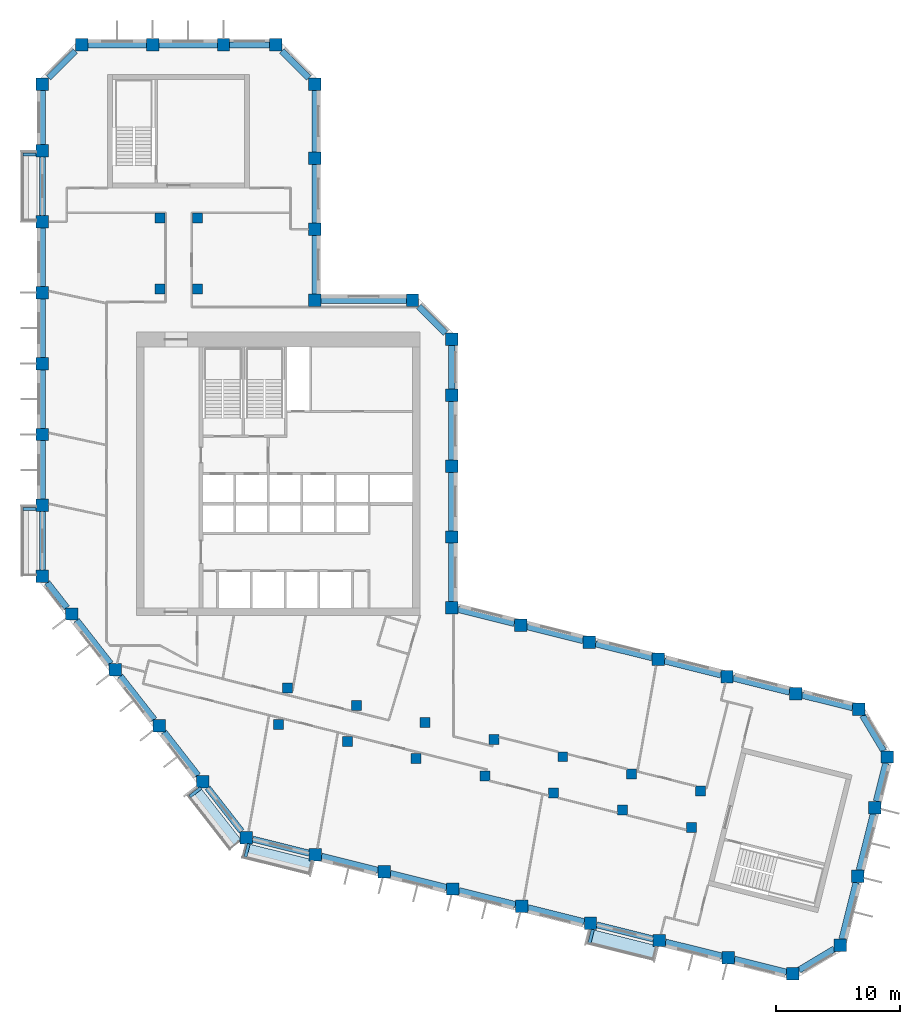
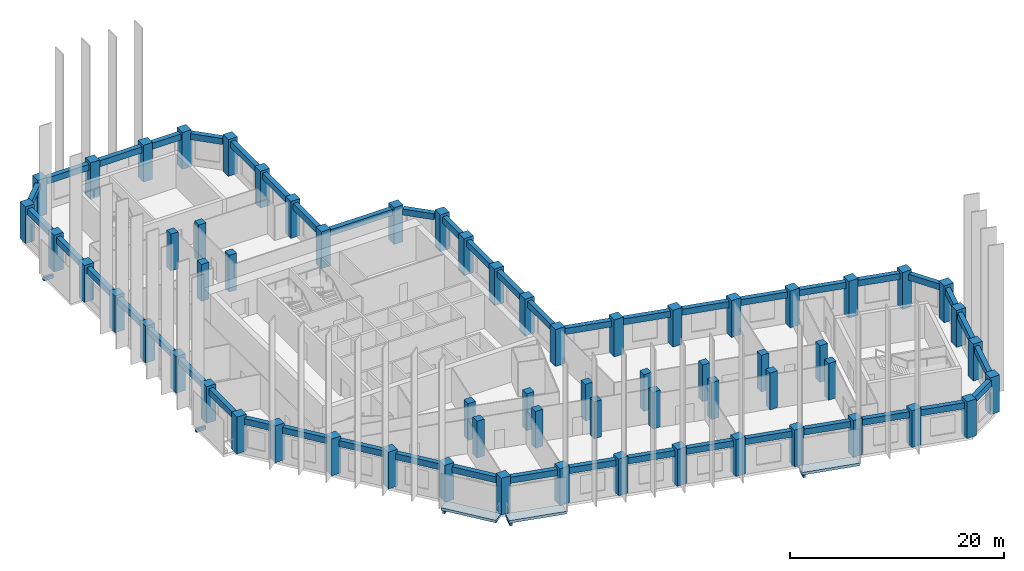
# One storey, part 1 of 9: 63 columns, 50 beams, 3 slabs.
"""IFC4 building model written with IfcOpenShell, lengths in metres."""

import ifcopenshell
import ifcopenshell.guid

model = None  # the IFC model being written
_history = None  # IfcOwnerHistory: only IFC2X3 demands one
_inside = {}  # id of a spatial element -> (the spatial element, [elements in it])
_under = {}  # id of a project, library or spatial element -> (it, [spatial elements below it])
_declared = {}  # id of a project -> (the project, [libraries it declares])
_typed = {}  # id of a type object -> (the type object, [elements of that type])
_made_of = {}  # id of a material, layer set ... -> (it, [elements and type objects made of it])


def new_model(schema):
    """Start an empty IFC model of exactly this schema.

    Asked for "IFC4X3", IfcOpenShell would pick the latest addendum, in which some entities
    have other attributes; the version numbers below select the first issue.
    IFC2X3 requires an IfcOwnerHistory on every rooted entity: one is made here for all.
    """
    global model, _history
    if schema == "IFC4X3":
        model = ifcopenshell.file(schema_version=(4, 3, 0, 0))
    else:
        model = ifcopenshell.file(schema=schema)
    _inside.clear()
    _under.clear()
    _declared.clear()
    _typed.clear()
    _made_of.clear()
    _history = None
    if model.schema == "IFC2X3":
        org = make("IfcOrganization", Name="unknown")
        user = make(
            "IfcPersonAndOrganization",
            ThePerson=make("IfcPerson", FamilyName="unknown"),
            TheOrganization=org,
        )
        app = make(
            "IfcApplication",
            ApplicationDeveloper=org,
            Version="unknown",
            ApplicationFullName="unknown",
            ApplicationIdentifier="unknown",
        )
        _history = make(
            "IfcOwnerHistory",
            OwningUser=user,
            OwningApplication=app,
            ChangeAction="ADDED",
            CreationDate=0,
        )
    return model


def make(cls, **values):
    """One entity of the class cls with the attributes given. An attribute that is None is left unset."""
    return model.create_entity(
        cls, **{name: value for name, value in values.items() if value is not None}
    )


def rooted(cls, **values):
    """An entity with a GlobalId (a new one), such as an element, a storey or a relation."""
    return make(cls, GlobalId=ifcopenshell.guid.new(), OwnerHistory=_history, **values)


def si_unit(unit_type, name, prefix=None):
    """IfcSIUnit, for example si_unit("LENGTHUNIT", "METRE", prefix="MILLI")."""
    return make("IfcSIUnit", UnitType=unit_type, Prefix=prefix, Name=name)


def assignment(units):
    """IfcUnitAssignment: the units of a project."""
    return None if units is None else make("IfcUnitAssignment", Units=units)


def point(xyz):
    """IfcCartesianPoint."""
    return None if xyz is None else make("IfcCartesianPoint", Coordinates=xyz)


def direction(xyz):
    """IfcDirection."""
    return None if xyz is None else make("IfcDirection", DirectionRatios=xyz)


def frame(location, z_axis=None, x_axis=None):
    """IfcAxis2Placement3D, a coordinate frame: its origin and axes. An axis left out is left unset."""
    return make(
        "IfcAxis2Placement3D",
        Location=point(location),
        Axis=direction(z_axis),
        RefDirection=direction(x_axis),
    )


def frame_2d(location, x_axis=None):
    """IfcAxis2Placement2D, a coordinate frame in the plane: its origin and x axis."""
    return make(
        "IfcAxis2Placement2D", Location=point(location), RefDirection=direction(x_axis)
    )


def origin():
    """The frame at (0, 0, 0) with its axes left unset."""
    return frame((0.0, 0.0, 0.0))


def origin_2d():
    """The frame at (0, 0) in the plane with its x axis left unset."""
    return frame_2d((0.0, 0.0))


def place(relative_to, where):
    """IfcLocalPlacement: puts the frame where relative to a parent placement (None: the world)."""
    return make(
        "IfcLocalPlacement", PlacementRelTo=relative_to, RelativePlacement=where
    )


def context(
    kind, dimensions, precision=None, world=None, true_north=None, identifier=None
):
    """IfcGeometricRepresentationContext, for example the 3D "Model" context."""
    return make(
        "IfcGeometricRepresentationContext",
        ContextIdentifier=identifier,
        ContextType=kind,
        CoordinateSpaceDimension=dimensions,
        Precision=precision,
        WorldCoordinateSystem=world,
        TrueNorth=true_north,
    )


def subcontext(parent, identifier, kind, view, scale=None):
    """IfcGeometricRepresentationSubContext, for example "Body" below "Model"."""
    return make(
        "IfcGeometricRepresentationSubContext",
        ContextIdentifier=identifier,
        ContextType=kind,
        ParentContext=parent,
        TargetScale=scale,
        TargetView=view,
    )


def project(units=None, contexts=None):
    """IfcProject with its units and contexts."""
    return rooted(
        "IfcProject",
        Name="project",
        RepresentationContexts=contexts,
        UnitsInContext=assignment(units),
    )


def spatial(cls, under=None, at=None, **own):
    """A site, building, storey or space (cls), placed at a placement, below another one or the project."""
    s = rooted(cls, ObjectPlacement=at, **own)
    if under is not None:
        _under.setdefault(under.id(), (under, []))[1].append(s)
    return s


def polyline(points):
    """IfcPolyline through the points."""
    return make("IfcPolyline", Points=[point(p) for p in points])


def profile(cls, at=None, kind="AREA", **sizes):
    """A parametric profile (cls). Its sizes go by their IFC names, for example OverallWidth=200.0."""
    return make(cls, ProfileType=kind, Position=at, **sizes)


def rectangle(**sizes):
    """IfcRectangleProfileDef."""
    return profile("IfcRectangleProfileDef", **sizes)


def outline(outer, holes=None, kind="AREA"):
    """IfcArbitraryClosedProfileDef: a profile drawn as a closed curve; with holes, ...WithVoids."""
    if holes is None:
        return make("IfcArbitraryClosedProfileDef", ProfileType=kind, OuterCurve=outer)
    return make(
        "IfcArbitraryProfileDefWithVoids",
        ProfileType=kind,
        OuterCurve=outer,
        InnerCurves=holes,
    )


def extrude(swept, where, along, depth):
    """IfcExtrudedAreaSolid: the profile swept, set in the frame where, extruded along a direction by depth."""
    return make(
        "IfcExtrudedAreaSolid",
        SweptArea=swept,
        Position=where,
        ExtrudedDirection=direction(along),
        Depth=depth,
    )


def shape(context_of_items, identifier, shape_type, items):
    """IfcShapeRepresentation: the items that make up one representation, for example the "Body"."""
    return make(
        "IfcShapeRepresentation",
        ContextOfItems=context_of_items,
        RepresentationIdentifier=identifier,
        RepresentationType=shape_type,
        Items=items,
    )


def material(Name=None, Category=None):
    """IfcMaterial."""
    return make("IfcMaterial", Name=Name, Category=Category)


def layer(
    of_material, thickness, ventilated=None, Name=None, Category=None, Priority=None
):
    """IfcMaterialLayer: one layer of a wall or slab, of a material (None: an air gap)."""
    return make(
        "IfcMaterialLayer",
        Material=of_material,
        LayerThickness=thickness,
        IsVentilated=ventilated,
        Name=Name,
        Category=Category,
        Priority=Priority,
    )


def layer_set(layers, Name=None):
    """IfcMaterialLayerSet."""
    return make("IfcMaterialLayerSet", MaterialLayers=layers, LayerSetName=Name)


def material_profile(
    of_material, cross_section, Name=None, Category=None, Priority=None
):
    """IfcMaterialProfile: a cross section and its material."""
    return make(
        "IfcMaterialProfile",
        Name=Name,
        Material=of_material,
        Profile=cross_section,
        Priority=Priority,
        Category=Category,
    )


def profile_set(profiles, Name=None, composite=None):
    """IfcMaterialProfileSet."""
    return make(
        "IfcMaterialProfileSet",
        Name=Name,
        MaterialProfiles=profiles,
        CompositeProfile=composite,
    )


def made_of(thing, what):
    """Note that an element or type object is made of a material, layer set ...; save() writes the relation."""
    if what is not None:
        _made_of.setdefault(what.id(), (what, []))[1].append(thing)
    return thing


def type_object(cls, material=None, **own):
    """A type object (cls), such as IfcWallType, which elements share."""
    return made_of(rooted(cls, **own), material)


def element(
    cls,
    number,
    at=None,
    inside=None,
    cuts=None,
    type_object=None,
    material=None,
    context=None,
    identifier="Body",
    shape_type=None,
    held_by="IfcProductDefinitionShape",
    body=None,
    shapes=None,
    **own,
):
    """One element of the class cls, such as IfcWall. Its Tag is "e" and its number.

    at: its placement. inside: the storey or other place that contains it. cuts: it is an
    opening in that element (IfcRelVoidsElement). A single representation is given by context,
    identifier, shape_type and body (its items); several are given by shapes. held_by: the class
    of the entity that holds the representations. save() writes the other relations.
    """
    e = rooted(cls, Tag="e%d" % number, ObjectPlacement=at, **own)
    if body is not None:
        shapes = [shape(context, identifier, shape_type, body)]
    if shapes is not None:
        e.Representation = make(held_by, Representations=shapes)
    if inside is not None:
        _inside.setdefault(inside.id(), (inside, []))[1].append(e)
    if cuts is not None:
        rooted(
            "IfcRelVoidsElement", RelatingBuildingElement=cuts, RelatedOpeningElement=e
        )
    if type_object is not None:
        _typed.setdefault(type_object.id(), (type_object, []))[1].append(e)
    return made_of(e, material)


def aggregate(whole, parts):
    """IfcRelAggregates: a whole, such as a stair, and the parts it consists of."""
    return rooted("IfcRelAggregates", RelatingObject=whole, RelatedObjects=parts)


def save(model, path):
    """Write the relations noted so far, then the file.

    IfcRelAggregates (storeys below a building ...), IfcRelContainedInSpatialStructure (elements
    in a storey), IfcRelDefinesByType, IfcRelAssociatesMaterial and IfcRelDeclares: one each for
    every whole, place, type object, material and project.
    """
    for whole, parts in _under.values():
        aggregate(whole, parts)
    for where, things in _inside.values():
        rooted(
            "IfcRelContainedInSpatialStructure",
            RelatedElements=things,
            RelatingStructure=where,
        )
    for kind, things in _typed.values():
        rooted("IfcRelDefinesByType", RelatedObjects=things, RelatingType=kind)
    for what, things in _made_of.values():
        rooted("IfcRelAssociatesMaterial", RelatedObjects=things, RelatingMaterial=what)
    for by, libraries in _declared.values():
        rooted("IfcRelDeclares", RelatingContext=by, RelatedDefinitions=libraries)
    model.write(path)


model = new_model("IFC4")

# Units and contexts
model_context = context("Model", 3, precision=1e-05, world=origin(), true_north=direction((0.0, 1.0)))
body_context = subcontext(model_context, "Body", "Model", "MODEL_VIEW")
ifc_project = project(units=[si_unit("LENGTHUNIT", "METRE"), si_unit("AREAUNIT", "SQUARE_METRE"), si_unit("VOLUMEUNIT", "CUBIC_METRE"), si_unit("PLANEANGLEUNIT", "RADIAN"), si_unit("MASSUNIT", "GRAM", prefix="KILO")], contexts=[model_context])

# Site, building, storey
site_placement = place(None, origin())
site = spatial("IfcSite", under=ifc_project, at=site_placement, CompositionType="ELEMENT")
building_placement = place(site_placement, origin())
building = spatial("IfcBuilding", under=site, at=building_placement, Name="Meshkara Civic Tower", CompositionType="ELEMENT")
storey_placement = place(building_placement, frame((0.0, 0.0, 289.800048828125)))
storey = spatial("IfcBuildingStorey", under=building, at=storey_placement, Name="L66", CompositionType="ELEMENT", Elevation=289.800048828125)

# Columns
ifc_material_1 = material(Name="Concrete C60", Category="concrete")
ifc_material_profile_1 = material_profile(ifc_material_1, rectangle(XDim=0.800048828125, YDim=0.800048828125, at=origin_2d()))
ifc_profile_set_1 = profile_set([ifc_material_profile_1], Name="Concrete C60")
column_type_1 = type_object("IfcColumnType", Name="Interior column RC 800x800 C60", PredefinedType="COLUMN", material=ifc_profile_set_1)
for number, where, z_axis, x_axis, name in (
    (1, (9.89990234375, 40.35009765625, 0.0), (0.0, 0.0, 1.0), (1.0, 0.0, 0.0), "Column SA1-04 L66"),
    (2, (9.89990234375, 46.050048828125, 0.0), (0.0, 0.0, 1.0), (1.0, 0.0, 0.0), "Column SA1-05 L66"),
    (3, (12.89990234375, 40.35009765625, 0.0), (0.0, 0.0, 1.0), (1.0, 0.0, 0.0), "Column SA2-04 L66"),
    (4, (12.89990234375, 46.050048828125, 0.0), (0.0, 0.0, 1.0), (1.0, 0.0, 0.0), "Column SA2-05 L66"),
    (5, (19.424072265625, 5.360107421875, 0.0), (0.0, 0.0, 1.0), (1.0, 0.0, 0.0), "Column SB1-00 L66"),
    (6, (24.9541015625, 3.98095703125, 0.0), (0.0, 0.0, 1.0), (1.0, 0.0, 0.0), "Column SB1-01 L66"),
    (7, (30.485107421875, 2.60205078125, 0.0), (0.0, 0.0, 1.0), (1.0, 0.0, 0.0), "Column SB1-02 L66"),
    (8, (36.01611328125, 1.222900390625, 0.0), (0.0, 0.0, 1.0), (1.0, 0.0, 0.0), "Column SB1-03 L66"),
    (9, (41.5458984375, -0.156005859375, 0.0), (0.0, 0.0, 1.0), (1.0, 0.0, 0.0), "Column SB1-04 L66"),
    (10, (47.076904296875, -1.534912109375, 0.0), (0.0, 0.0, 1.0), (1.0, 0.0, 0.0), "Column SB1-05 L66"),
    (11, (52.60791015625, -2.9140625, 0.0), (0.0, 0.0, 1.0), (1.0, 0.0, 0.0), "Column SB1-06 L66"),
    (12, (20.14892578125, 8.27099609375, 0.0), (0.0, 0.0, 1.0), (1.0, 0.0, 0.0), "Column SB2-00 L66"),
    (13, (25.679931640625, 6.89208984375, 0.0), (0.0, 0.0, 1.0), (1.0, 0.0, 0.0), "Column SB2-01 L66"),
    (14, (31.2109375, 5.512939453125, 0.0), (0.0, 0.0, 1.0), (1.0, 0.0, 0.0), "Column SB2-02 L66"),
    (15, (36.741943359375, 4.134033203125, 0.0), (0.0, 0.0, 1.0), (1.0, 0.0, 0.0), "Column SB2-03 L66"),
    (16, (42.27197265625, 2.7548828125, 0.0), (0.0, 0.0, 1.0), (1.0, 0.0, 0.0), "Column SB2-04 L66"),
    (17, (47.802978515625, 1.3759765625, 0.0), (0.0, 0.0, 1.0), (1.0, 0.0, 0.0), "Column SB2-05 L66"),
    (18, (53.333984375, -0.0029296875, 0.0), (0.0, 0.0, 1.0), (1.0, 0.0, 0.0), "Column SB2-06 L66"),
):
    element("IfcColumn", number, at=place(storey_placement, frame(where, z_axis=z_axis, x_axis=x_axis)), inside=storey, type_object=column_type_1, Name=name, PredefinedType="COLUMN", context=body_context, shape_type="SweptSolid", body=[
        extrude(rectangle(XDim=0.800048828125, YDim=0.800048828125, at=origin_2d()), origin(), (0.0, 0.0, 1.0), 4.199951171875),
    ])
ifc_material_2 = material(Name="Concrete C60", Category="concrete")
ifc_material_profile_2 = material_profile(ifc_material_2, rectangle(XDim=1.0, YDim=1.0, at=origin_2d()))
ifc_profile_set_2 = profile_set([ifc_material_profile_2], Name="Concrete C60")
column_type_2 = type_object("IfcColumnType", Name="Perimeter column RC 1000x1000 C60", PredefinedType="COLUMN", material=ifc_profile_set_2)
for number, where, z_axis, x_axis, name in (
    (19, (33.35009765625, 14.718994140625, 0.0), (0.0, 0.0, 1.0), (1.0, 0.0, 0.0), "Column HE00 L66"),
    (20, (33.35009765625, 20.4189453125, 0.0), (0.0, 0.0, 1.0), (1.0, 0.0, 0.0), "Column HE01 L66"),
    (21, (33.35009765625, 26.118896484375, 0.0), (0.0, 0.0, 1.0), (1.0, 0.0, 0.0), "Column HE02 L66"),
    (22, (33.35009765625, 31.819091796875, 0.0), (0.0, 0.0, 1.0), (1.0, 0.0, 0.0), "Column HE03 L66"),
    (23, (33.35009765625, 36.2939453125, 0.0), (0.0, 0.0, 1.0), (1.0, 0.0, 0.0), "Column HEE L66"),
    (24, (30.194091796875, 39.449951171875, 0.0), (0.0, 0.0, 1.0), (1.0, 0.0, 0.0), "Column HCeE L66"),
    (25, (22.35009765625, 39.449951171875, 0.0), (0.0, 0.0, 1.0), (1.0, 0.0, 0.0), "Column HN00 L66"),
    (26, (22.35009765625, 45.14990234375, 0.0), (0.0, 0.0, 1.0), (1.0, 0.0, 0.0), "Column AE01 L66"),
    (27, (22.35009765625, 50.85009765625, 0.0), (0.0, 0.0, 1.0), (1.0, 0.0, 0.0), "Column AE02 L66"),
    (28, (22.35009765625, 56.81396484375, 0.0), (0.0, 0.0, 1.0), (1.0, 0.0, 0.0), "Column AEEP4 L66"),
    (29, (19.194091796875, 59.969970703125, 0.0), (0.0, 0.0, 1.0), (1.0, 0.0, 0.0), "Column ATiEP4 L66"),
    (30, (3.60595703125, 59.969970703125, 0.0), (0.0, 0.0, 1.0), (1.0, 0.0, 0.0), "Column AT00-P4 L66"),
    (31, (9.305908203125, 59.969970703125, 0.0), (0.0, 0.0, 1.0), (1.0, 0.0, 0.0), "Column AT01-P4 L66"),
    (32, (15.006103515625, 59.969970703125, 0.0), (0.0, 0.0, 1.0), (1.0, 0.0, 0.0), "Column AT02-P4 L66"),
    (33, (0.449951171875, 56.81396484375, 0.0), (0.0, 0.0, 1.0), (1.0, 0.0, 0.0), "Column ATo00-P4 L66"),
    (34, (0.449951171875, 17.2548828125, 0.0), (0.0, 0.0, 1.0), (1.0, 0.0, 0.0), "Column AW00 L66"),
    (35, (0.449951171875, 22.955078125, 0.0), (0.0, 0.0, 1.0), (1.0, 0.0, 0.0), "Column AW01 L66"),
    (36, (0.449951171875, 28.655029296875, 0.0), (0.0, 0.0, 1.0), (1.0, 0.0, 0.0), "Column AW02 L66"),
    (37, (0.449951171875, 34.35498046875, 0.0), (0.0, 0.0, 1.0), (1.0, 0.0, 0.0), "Column AW03 L66"),
    (38, (0.449951171875, 40.054931640625, 0.0), (0.0, 0.0, 1.0), (1.0, 0.0, 0.0), "Column AW04 L66"),
    (39, (0.449951171875, 45.7548828125, 0.0), (0.0, 0.0, 1.0), (1.0, 0.0, 0.0), "Column AW05 L66"),
    (40, (0.449951171875, 51.455078125, 0.0), (0.0, 0.0, 1.0), (1.0, 0.0, 0.0), "Column AW06 L66"),
    (41, (16.85107421875, -3.738037109375, 0.0), (0.0, 0.0, 1.0), (1.0, 0.0, 0.0), "Column BOW00 L66"),
    (42, (13.342041015625, 0.75390625, 0.0), (0.0, 0.0, 1.0), (1.0, 0.0, 0.0), "Column BOW01 L66"),
    (43, (9.8330078125, 5.2451171875, 0.0), (0.0, 0.0, 1.0), (1.0, 0.0, 0.0), "Column BOW02 L66"),
    (44, (6.322998046875, 9.737060546875, 0.0), (0.0, 0.0, 1.0), (1.0, 0.0, 0.0), "Column BOW03 L66"),
    (45, (2.81396484375, 14.22900390625, 0.0), (0.0, 0.0, 1.0), (1.0, 0.0, 0.0), "Column BOW04 L66"),
    (46, (22.382080078125, -5.116943359375, 0.0), (0.0, 0.0, 1.0), (1.0, 0.0, 0.0), "Column BS01 L66"),
    (47, (27.912109375, -6.49609375, 0.0), (0.0, 0.0, 1.0), (1.0, 0.0, 0.0), "Column BS02 L66"),
    (48, (33.443115234375, -7.875, 0.0), (0.0, 0.0, 1.0), (1.0, 0.0, 0.0), "Column BS03 L66"),
    (49, (38.97412109375, -9.25390625, 0.0), (0.0, 0.0, 1.0), (1.0, 0.0, 0.0), "Column BS04 L66"),
    (50, (44.50390625, -10.633056640625, 0.0), (0.0, 0.0, 1.0), (1.0, 0.0, 0.0), "Column BS05-P4 L66"),
    (51, (50.034912109375, -12.011962890625, 0.0), (0.0, 0.0, 1.0), (1.0, 0.0, 0.0), "Column BS06-P4 L66"),
    (52, (55.56591796875, -13.389892578125, 0.0), (0.0, 0.0, 1.0), (1.0, 0.0, 0.0), "Column BS07 L66"),
    (53, (60.76611328125, -14.68701171875, 0.0), (0.0, 0.0, 1.0), (1.0, 0.0, 0.0), "Column BSEP4 L66"),
    (54, (64.591064453125, -12.386962890625, 0.0), (0.0, 0.0, 1.0), (1.0, 0.0, 0.0), "Column BToEP4 L66"),
    (55, (65.969970703125, -6.85595703125, 0.0), (0.0, 0.0, 1.0), (1.0, 0.0, 0.0), "Column BT01-P4 L66"),
    (56, (67.34912109375, -1.325927734375, 0.0), (0.0, 0.0, 1.0), (1.0, 0.0, 0.0), "Column BT02-P4 L66"),
    (57, (68.362060546875, 2.736083984375, 0.0), (0.0, 0.0, 1.0), (1.0, 0.0, 0.0), "Column BTEP4 L66"),
    (58, (66.06298828125, 6.56201171875, 0.0), (0.0, 0.0, 1.0), (1.0, 0.0, 0.0), "Column BTi00-P4 L66"),
    (59, (38.881103515625, 13.340087890625, 0.0), (0.0, 0.0, 1.0), (1.0, 0.0, 0.0), "Column BN01 L66"),
    (60, (44.410888671875, 11.9609375, 0.0), (0.0, 0.0, 1.0), (1.0, 0.0, 0.0), "Column BN02 L66"),
    (61, (49.94189453125, 10.58203125, 0.0), (0.0, 0.0, 1.0), (1.0, 0.0, 0.0), "Column BN03 L66"),
    (62, (55.472900390625, 9.202880859375, 0.0), (0.0, 0.0, 1.0), (1.0, 0.0, 0.0), "Column BN04 L66"),
    (63, (61.0029296875, 7.823974609375, 0.0), (0.0, 0.0, 1.0), (1.0, 0.0, 0.0), "Column BN05 L66"),
):
    element("IfcColumn", number, at=place(storey_placement, frame(where, z_axis=z_axis, x_axis=x_axis)), inside=storey, type_object=column_type_2, Name=name, PredefinedType="COLUMN", context=body_context, shape_type="SweptSolid", body=[
        extrude(rectangle(XDim=1.0, YDim=1.0, at=origin_2d()), origin(), (0.0, 0.0, 1.0), 4.199951171875),
    ])

# Beams
ifc_material_3 = material(Name="Concrete C50", Category="concrete")
ifc_material_profile_3 = material_profile(ifc_material_3, rectangle(XDim=0.25, YDim=0.39990234375, at=origin_2d()))
ifc_profile_set_3 = profile_set([ifc_material_profile_3], Name="Concrete C50")
beam_type_1 = type_object("IfcBeamType", Name="Balcony bracket beam RC 250x400 C50", PredefinedType="BEAM", material=ifc_profile_set_3)
for number, where, z_axis, x_axis, name in (
    (64, (-0.044921875, 51.155029296875, -0.5), (-1.0, 0.0, 0.0), (0.0, -1.0, 0.0), "Balcony bracket beam"),
    (65, (-0.044921875, 22.655029296875, -0.5), (-1.0, 0.0, 0.0), (0.0, -1.0, 0.0), "Balcony bracket beam"),
):
    element("IfcBeam", number, at=place(storey_placement, frame(where, z_axis=z_axis, x_axis=x_axis)), inside=storey, type_object=beam_type_1, Name=name, PredefinedType="BEAM", context=body_context, shape_type="SweptSolid", body=[
        extrude(rectangle(XDim=0.25, YDim=0.39990234375, at=origin_2d()), origin(), (0.0, 0.0, 1.0), 1.05517578125),
    ])
beam_1_placement = place(storey_placement, frame((13.193115234375, 0.257080078125, -0.5), z_axis=(-0.787938992743, -0.61575331401, 0.0), x_axis=(0.61575331401, -0.787938992743, 0.0)))
element("IfcBeam", 66, at=beam_1_placement, inside=storey, type_object=beam_type_1, Name="Balcony bracket beam", PredefinedType="BEAM", context=body_context, shape_type="SweptSolid", body=[
    extrude(rectangle(XDim=0.25, YDim=0.39990234375, at=origin_2d()), origin(), (0.0, 0.0, 1.0), 1.127197265625),
])
for number, where, z_axis, x_axis, name in (
    (67, (17.037109375, -4.23291015625, -0.5), (-0.242329403705, -0.970194032192, 0.0), (0.970194032192, -0.242329403705, 0.0), "Balcony bracket beam"),
    (68, (44.68994140625, -11.1279296875, -0.5), (-0.242329403705, -0.970194032192, 0.0), (0.970194032192, -0.242329403705, 0.0), "Balcony bracket beam"),
):
    element("IfcBeam", number, at=place(storey_placement, frame(where, z_axis=z_axis, x_axis=x_axis)), inside=storey, type_object=beam_type_1, Name=name, PredefinedType="BEAM", context=body_context, shape_type="SweptSolid", body=[
        extrude(rectangle(XDim=0.25, YDim=0.39990234375, at=origin_2d()), origin(), (0.0, 0.0, 1.0), 1.1142578125),
    ])
ifc_material_4 = material(Name="Concrete C50", Category="concrete")
ifc_material_profile_4 = material_profile(ifc_material_4, rectangle(XDim=0.5, YDim=0.699951171875, at=origin_2d()))
ifc_profile_set_4 = profile_set([ifc_material_profile_4], Name="Concrete C50")
beam_type_2 = type_object("IfcBeamType", Name="Spandrel beam RC 500x700 C50", PredefinedType="BEAM", material=ifc_profile_set_4)
beam_2_placement = place(storey_placement, frame((60.5078125, 7.947509765625, 3.550048828125), z_axis=(-0.970286590806, 0.241958533023, 0.0), x_axis=(-0.241958533023, -0.970286590806, 0.0)))
element("IfcBeam", 69, at=beam_2_placement, inside=storey, type_object=beam_type_2, Name="Spandrel beam BN04-BN05", PredefinedType="BEAM", context=body_context, shape_type="SweptSolid", body=[
    extrude(rectangle(XDim=0.5, YDim=0.699951171875, at=origin_2d()), origin(), (0.0, 0.0, 1.0), 4.6787109375),
])
beam_3_placement = place(storey_placement, frame((54.977783203125, 9.326416015625, 3.550048828125), z_axis=(-0.970298806378, 0.241909541651, 0.0), x_axis=(-0.241909541651, -0.970298806378, 0.0)))
element("IfcBeam", 70, at=beam_3_placement, inside=storey, type_object=beam_type_2, Name="Spandrel beam BN03-BN04", PredefinedType="BEAM", context=body_context, shape_type="SweptSolid", body=[
    extrude(rectangle(XDim=0.5, YDim=0.699951171875, at=origin_2d()), origin(), (0.0, 0.0, 1.0), 4.6796875),
])
beam_4_placement = place(storey_placement, frame((49.447021484375, 10.70556640625, 3.550048828125), z_axis=(-0.970314102262, 0.241848181618, 0.0), x_axis=(-0.241848181618, -0.970314102262, 0.0)))
element("IfcBeam", 71, at=beam_4_placement, inside=storey, type_object=beam_type_2, Name="Spandrel beam BN02-BN03", PredefinedType="BEAM", context=body_context, shape_type="SweptSolid", body=[
    extrude(rectangle(XDim=0.5, YDim=0.699951171875, at=origin_2d()), origin(), (0.0, 0.0, 1.0), 4.679931640625),
])
beam_5_placement = place(storey_placement, frame((43.916015625, 12.08447265625, 3.550048828125), z_axis=(-0.970286590806, 0.241958533023, 0.0), x_axis=(-0.241958533023, -0.970286590806, 0.0)))
element("IfcBeam", 72, at=beam_5_placement, inside=storey, type_object=beam_type_2, Name="Spandrel beam BN01-BN02", PredefinedType="BEAM", context=body_context, shape_type="SweptSolid", body=[
    extrude(rectangle(XDim=0.5, YDim=0.699951171875, at=origin_2d()), origin(), (0.0, 0.0, 1.0), 4.6787109375),
])
beam_6_placement = place(storey_placement, frame((38.385986328125, 13.46337890625, 3.550048828125), z_axis=(-0.970298806378, 0.241909541651, 0.0), x_axis=(-0.241909541651, -0.970298806378, 0.0)))
element("IfcBeam", 73, at=beam_6_placement, inside=storey, type_object=beam_type_2, Name="Spandrel beam BN01-HE00", PredefinedType="BEAM", context=body_context, shape_type="SweptSolid", body=[
    extrude(rectangle(XDim=0.5, YDim=0.699951171875, at=origin_2d()), origin(), (0.0, 0.0, 1.0), 4.6796875),
])
for number, where, z_axis, x_axis, name in (
    (74, (33.35009765625, 15.214111328125, 3.550048828125), (0.0, 1.0, 0.0), (-1.0, 0.0, 0.0), "Spandrel beam HE00-HE01"),
    (75, (33.35009765625, 20.9140625, 3.550048828125), (0.0, 1.0, 0.0), (-1.0, 0.0, 0.0), "Spandrel beam HE01-HE02"),
    (76, (33.35009765625, 26.614013671875, 3.550048828125), (0.0, 1.0, 0.0), (-1.0, 0.0, 0.0), "Spandrel beam HE02-HE03"),
):
    element("IfcBeam", number, at=place(storey_placement, frame(where, z_axis=z_axis, x_axis=x_axis)), inside=storey, type_object=beam_type_2, Name=name, PredefinedType="BEAM", context=body_context, shape_type="SweptSolid", body=[
        extrude(rectangle(XDim=0.5, YDim=0.699951171875, at=origin_2d()), origin(), (0.0, 0.0, 1.0), 4.7099609375),
    ])
beam_7_placement = place(storey_placement, frame((33.35009765625, 32.31396484375, 3.550048828125), z_axis=(0.0, 1.0, 0.0), x_axis=(-1.0, 0.0, 0.0)))
element("IfcBeam", 77, at=beam_7_placement, inside=storey, type_object=beam_type_2, Name="Spandrel beam HE03-HEE", PredefinedType="BEAM", context=body_context, shape_type="SweptSolid", body=[
    extrude(rectangle(XDim=0.5, YDim=0.699951171875, at=origin_2d()), origin(), (0.0, 0.0, 1.0), 3.485107421875),
])
beam_8_placement = place(storey_placement, frame((32.853515625, 36.79052734375, 3.550048828125), z_axis=(-0.707106781187, 0.707106781187, 0.0), x_axis=(-0.707106781187, -0.707106781187, 0.0)))
element("IfcBeam", 78, at=beam_8_placement, inside=storey, type_object=beam_type_2, Name="Spandrel beam HCeE-HEE", PredefinedType="BEAM", context=body_context, shape_type="SweptSolid", body=[
    extrude(rectangle(XDim=0.5, YDim=0.699951171875, at=origin_2d()), origin(), (0.0, 0.0, 1.0), 3.05908203125),
])
beam_9_placement = place(storey_placement, frame((29.698974609375, 39.449951171875, 3.550048828125), z_axis=(-1.0, 0.0, 0.0), x_axis=(0.0, -1.0, 0.0)))
element("IfcBeam", 79, at=beam_9_placement, inside=storey, type_object=beam_type_2, Name="Spandrel beam HCeE-HN00", PredefinedType="BEAM", context=body_context, shape_type="SweptSolid", body=[
    extrude(rectangle(XDim=0.5, YDim=0.699951171875, at=origin_2d()), origin(), (0.0, 0.0, 1.0), 6.85400390625),
])
for number, where, z_axis, x_axis, name in (
    (80, (22.35009765625, 39.945068359375, 3.550048828125), (0.0, 1.0, 0.0), (-1.0, 0.0, 0.0), "Spandrel beam AE01-HN00"),
    (81, (22.35009765625, 45.64501953125, 3.550048828125), (0.0, 1.0, 0.0), (-1.0, 0.0, 0.0), "Spandrel beam AE01-AE02"),
):
    element("IfcBeam", number, at=place(storey_placement, frame(where, z_axis=z_axis, x_axis=x_axis)), inside=storey, type_object=beam_type_2, Name=name, PredefinedType="BEAM", context=body_context, shape_type="SweptSolid", body=[
        extrude(rectangle(XDim=0.5, YDim=0.699951171875, at=origin_2d()), origin(), (0.0, 0.0, 1.0), 4.7099609375),
    ])
beam_10_placement = place(storey_placement, frame((22.35009765625, 51.344970703125, 3.550048828125), z_axis=(0.0, 1.0, 0.0), x_axis=(-1.0, 0.0, 0.0)))
element("IfcBeam", 82, at=beam_10_placement, inside=storey, type_object=beam_type_2, Name="Spandrel beam AE02-AEEP4", PredefinedType="BEAM", context=body_context, shape_type="SweptSolid", body=[
    extrude(rectangle(XDim=0.5, YDim=0.699951171875, at=origin_2d()), origin(), (0.0, 0.0, 1.0), 4.97412109375),
])
beam_11_placement = place(storey_placement, frame((21.853515625, 57.310546875, 3.550048828125), z_axis=(-0.707146686758, 0.707066873363, 0.0), x_axis=(-0.707066873363, -0.707146686758, 0.0)))
element("IfcBeam", 83, at=beam_11_placement, inside=storey, type_object=beam_type_2, Name="Spandrel beam AEEP4-ATiEP4", PredefinedType="BEAM", context=body_context, shape_type="SweptSolid", body=[
    extrude(rectangle(XDim=0.5, YDim=0.699951171875, at=origin_2d()), origin(), (0.0, 0.0, 1.0), 3.058837890625),
])
beam_12_placement = place(storey_placement, frame((18.698974609375, 59.969970703125, 3.550048828125), z_axis=(-1.0, 0.0, 0.0), x_axis=(0.0, -1.0, 0.0)))
element("IfcBeam", 84, at=beam_12_placement, inside=storey, type_object=beam_type_2, Name="Spandrel beam AT02-P4-ATiEP4", PredefinedType="BEAM", context=body_context, shape_type="SweptSolid", body=[
    extrude(rectangle(XDim=0.5, YDim=0.699951171875, at=origin_2d()), origin(), (0.0, 0.0, 1.0), 3.197998046875),
])
for number, where, z_axis, x_axis, name in (
    (85, (14.510986328125, 59.969970703125, 3.550048828125), (-1.0, 0.0, 0.0), (0.0, -1.0, 0.0), "Spandrel beam AT01-P4-AT02-P4"),
    (86, (8.81103515625, 59.969970703125, 3.550048828125), (-1.0, 0.0, 0.0), (0.0, -1.0, 0.0), "Spandrel beam AT00-P4-AT01-P4"),
):
    element("IfcBeam", number, at=place(storey_placement, frame(where, z_axis=z_axis, x_axis=x_axis)), inside=storey, type_object=beam_type_2, Name=name, PredefinedType="BEAM", context=body_context, shape_type="SweptSolid", body=[
        extrude(rectangle(XDim=0.5, YDim=0.699951171875, at=origin_2d()), origin(), (0.0, 0.0, 1.0), 4.7099609375),
    ])
beam_13_placement = place(storey_placement, frame((3.109619140625, 59.473388671875, 3.550048828125), z_axis=(-0.707146686758, -0.707066873363, 0.0), x_axis=(0.707066873363, -0.707146686758, 0.0)))
element("IfcBeam", 87, at=beam_13_placement, inside=storey, type_object=beam_type_2, Name="Spandrel beam AT00-P4-ATo00-P4", PredefinedType="BEAM", context=body_context, shape_type="SweptSolid", body=[
    extrude(rectangle(XDim=0.5, YDim=0.699951171875, at=origin_2d()), origin(), (0.0, 0.0, 1.0), 3.058837890625),
])
beam_14_placement = place(storey_placement, frame((0.449951171875, 56.319091796875, 3.550048828125), z_axis=(0.0, -1.0, 0.0), x_axis=(1.0, 0.0, 0.0)))
element("IfcBeam", 88, at=beam_14_placement, inside=storey, type_object=beam_type_2, Name="Spandrel beam ATo00-P4-AW06", PredefinedType="BEAM", context=body_context, shape_type="SweptSolid", body=[
    extrude(rectangle(XDim=0.5, YDim=0.699951171875, at=origin_2d()), origin(), (0.0, 0.0, 1.0), 4.369140625),
])
for number, where, z_axis, x_axis, name in (
    (89, (0.449951171875, 50.9599609375, 3.550048828125), (0.0, -1.0, 0.0), (1.0, 0.0, 0.0), "Spandrel beam AW05-AW06"),
    (90, (0.449951171875, 45.260009765625, 3.550048828125), (0.0, -1.0, 0.0), (1.0, 0.0, 0.0), "Spandrel beam AW04-AW05"),
    (91, (0.449951171875, 39.56005859375, 3.550048828125), (0.0, -1.0, 0.0), (1.0, 0.0, 0.0), "Spandrel beam AW03-AW04"),
):
    element("IfcBeam", number, at=place(storey_placement, frame(where, z_axis=z_axis, x_axis=x_axis)), inside=storey, type_object=beam_type_2, Name=name, PredefinedType="BEAM", context=body_context, shape_type="SweptSolid", body=[
        extrude(rectangle(XDim=0.5, YDim=0.699951171875, at=origin_2d()), origin(), (0.0, 0.0, 1.0), 4.7099609375),
    ])
beam_15_placement = place(storey_placement, frame((0.449951171875, 33.860107421875, 3.550048828125), z_axis=(0.0, -1.0, 0.0), x_axis=(1.0, 0.0, 0.0)))
element("IfcBeam", 92, at=beam_15_placement, inside=storey, type_object=beam_type_2, Name="Spandrel beam AW02-AW03", PredefinedType="BEAM", context=body_context, shape_type="SweptSolid", body=[
    extrude(rectangle(XDim=0.5, YDim=0.699951171875, at=origin_2d()), origin(), (0.0, 0.0, 1.0), 4.710205078125),
])
for number, where, z_axis, x_axis, name in (
    (93, (0.449951171875, 28.159912109375, 3.550048828125), (0.0, -1.0, 0.0), (1.0, 0.0, 0.0), "Spandrel beam AW01-AW02"),
    (94, (0.449951171875, 22.4599609375, 3.550048828125), (0.0, -1.0, 0.0), (1.0, 0.0, 0.0), "Spandrel beam AW00-AW01"),
):
    element("IfcBeam", number, at=place(storey_placement, frame(where, z_axis=z_axis, x_axis=x_axis)), inside=storey, type_object=beam_type_2, Name=name, PredefinedType="BEAM", context=body_context, shape_type="SweptSolid", body=[
        extrude(rectangle(XDim=0.5, YDim=0.699951171875, at=origin_2d()), origin(), (0.0, 0.0, 1.0), 4.7099609375),
    ])
beam_16_placement = place(storey_placement, frame((0.83740234375, 16.7587890625, 3.550048828125), z_axis=(0.615713794912, -0.787969874269, 0.0), x_axis=(0.787969874269, 0.615713794912, 0.0)))
element("IfcBeam", 95, at=beam_16_placement, inside=storey, type_object=beam_type_2, Name="Spandrel beam AW00-BOW04", PredefinedType="BEAM", context=body_context, shape_type="SweptSolid", body=[
    extrude(rectangle(XDim=0.5, YDim=0.699951171875, at=origin_2d()), origin(), (0.0, 0.0, 1.0), 2.580810546875),
])
beam_17_placement = place(storey_placement, frame((3.201416015625, 13.73291015625, 3.550048828125), z_axis=(0.615636574491, -0.788030207637, 0.0), x_axis=(0.788030207637, 0.615636574491, 0.0)))
element("IfcBeam", 96, at=beam_17_placement, inside=storey, type_object=beam_type_2, Name="Spandrel beam BOW03-BOW04", PredefinedType="BEAM", context=body_context, shape_type="SweptSolid", body=[
    extrude(rectangle(XDim=0.5, YDim=0.699951171875, at=origin_2d()), origin(), (0.0, 0.0, 1.0), 4.441162109375),
])
beam_18_placement = place(storey_placement, frame((6.710693359375, 9.240966796875, 3.550048828125), z_axis=(0.615704842432, -0.787976869588, 0.0), x_axis=(0.787976869588, 0.615704842432, 0.0)))
element("IfcBeam", 97, at=beam_18_placement, inside=storey, type_object=beam_type_2, Name="Spandrel beam BOW02-BOW03", PredefinedType="BEAM", context=body_context, shape_type="SweptSolid", body=[
    extrude(rectangle(XDim=0.5, YDim=0.699951171875, at=origin_2d()), origin(), (0.0, 0.0, 1.0), 4.44140625),
])
beam_19_placement = place(storey_placement, frame((10.220703125, 4.748779296875, 3.550048828125), z_axis=(0.615674985547, -0.788000198078, 0.0), x_axis=(0.788000198078, 0.615674985547, 0.0)))
element("IfcBeam", 98, at=beam_19_placement, inside=storey, type_object=beam_type_2, Name="Spandrel beam BOW01-BOW02", PredefinedType="BEAM", context=body_context, shape_type="SweptSolid", body=[
    extrude(rectangle(XDim=0.5, YDim=0.699951171875, at=origin_2d()), origin(), (0.0, 0.0, 1.0), 4.440185546875),
])
beam_20_placement = place(storey_placement, frame((13.7294921875, 0.2578125, 3.550048828125), z_axis=(0.615602435322, -0.788056877151, 0.0), x_axis=(0.788056877151, 0.615602435322, 0.0)))
element("IfcBeam", 99, at=beam_20_placement, inside=storey, type_object=beam_type_2, Name="Spandrel beam BOW00-BOW01", PredefinedType="BEAM", context=body_context, shape_type="SweptSolid", body=[
    extrude(rectangle(XDim=0.5, YDim=0.699951171875, at=origin_2d()), origin(), (0.0, 0.0, 1.0), 4.44091796875),
])
beam_21_placement = place(storey_placement, frame((17.34619140625, -3.861572265625, 3.550048828125), z_axis=(0.970311050729, -0.24186042428, 0.0), x_axis=(0.24186042428, 0.970311050729, 0.0)))
element("IfcBeam", 100, at=beam_21_placement, inside=storey, type_object=beam_type_2, Name="Spandrel beam BOW00-BS01", PredefinedType="BEAM", context=body_context, shape_type="SweptSolid", body=[
    extrude(rectangle(XDim=0.5, YDim=0.699951171875, at=origin_2d()), origin(), (0.0, 0.0, 1.0), 4.6796875),
])
beam_22_placement = place(storey_placement, frame((22.877197265625, -5.240478515625, 3.550048828125), z_axis=(0.970286590806, -0.241958533023, 0.0), x_axis=(0.241958533023, 0.970286590806, 0.0)))
element("IfcBeam", 101, at=beam_22_placement, inside=storey, type_object=beam_type_2, Name="Spandrel beam BS01-BS02", PredefinedType="BEAM", context=body_context, shape_type="SweptSolid", body=[
    extrude(rectangle(XDim=0.5, YDim=0.699951171875, at=origin_2d()), origin(), (0.0, 0.0, 1.0), 4.6787109375),
])
for number, where, z_axis, x_axis, name in (
    (102, (28.406982421875, -6.619384765625, 3.550048828125), (0.970301859111, -0.241897296812, 0.0), (0.241897296812, 0.970301859111, 0.0), "Spandrel beam BS02-BS03"),
    (103, (33.93798828125, -7.99853515625, 3.550048828125), (0.970301859111, -0.241897296812, 0.0), (0.241897296812, 0.970301859111, 0.0), "Spandrel beam BS03-BS04"),
):
    element("IfcBeam", number, at=place(storey_placement, frame(where, z_axis=z_axis, x_axis=x_axis)), inside=storey, type_object=beam_type_2, Name=name, PredefinedType="BEAM", context=body_context, shape_type="SweptSolid", body=[
        extrude(rectangle(XDim=0.5, YDim=0.699951171875, at=origin_2d()), origin(), (0.0, 0.0, 1.0), 4.679931640625),
    ])
beam_23_placement = place(storey_placement, frame((39.468994140625, -9.37744140625, 3.550048828125), z_axis=(0.970286590806, -0.241958533023, 0.0), x_axis=(0.241958533023, 0.970286590806, 0.0)))
element("IfcBeam", 104, at=beam_23_placement, inside=storey, type_object=beam_type_2, Name="Spandrel beam BS04-BS05-P4", PredefinedType="BEAM", context=body_context, shape_type="SweptSolid", body=[
    extrude(rectangle(XDim=0.5, YDim=0.699951171875, at=origin_2d()), origin(), (0.0, 0.0, 1.0), 4.6787109375),
])
beam_24_placement = place(storey_placement, frame((44.9990234375, -10.756591796875, 3.550048828125), z_axis=(0.970311050729, -0.24186042428, 0.0), x_axis=(0.24186042428, 0.970311050729, 0.0)))
element("IfcBeam", 105, at=beam_24_placement, inside=storey, type_object=beam_type_2, Name="Spandrel beam BS05-P4-BS06-P4", PredefinedType="BEAM", context=body_context, shape_type="SweptSolid", body=[
    extrude(rectangle(XDim=0.5, YDim=0.699951171875, at=origin_2d()), origin(), (0.0, 0.0, 1.0), 4.6796875),
])
beam_25_placement = place(storey_placement, frame((50.530029296875, -12.135498046875, 3.550048828125), z_axis=(0.970347770718, -0.241713061011, 0.0), x_axis=(0.241713061011, 0.970347770718, 0.0)))
element("IfcBeam", 106, at=beam_25_placement, inside=storey, type_object=beam_type_2, Name="Spandrel beam BS06-P4-BS07", PredefinedType="BEAM", context=body_context, shape_type="SweptSolid", body=[
    extrude(rectangle(XDim=0.5, YDim=0.699951171875, at=origin_2d()), origin(), (0.0, 0.0, 1.0), 4.679443359375),
])
beam_26_placement = place(storey_placement, frame((56.06103515625, -13.513427734375, 3.550048828125), z_axis=(0.970274749447, -0.242006013533, 0.0), x_axis=(0.242006013533, 0.970274749447, 0.0)))
element("IfcBeam", 107, at=beam_26_placement, inside=storey, type_object=beam_type_2, Name="Spandrel beam BS07-BSEP4", PredefinedType="BEAM", context=body_context, shape_type="SweptSolid", body=[
    extrude(rectangle(XDim=0.5, YDim=0.699951171875, at=origin_2d()), origin(), (0.0, 0.0, 1.0), 4.3388671875),
])
beam_27_placement = place(storey_placement, frame((61.26171875, -14.388916015625, 3.550048828125), z_axis=(0.856990838189, 0.515331643953, 0.0), x_axis=(-0.515331643953, 0.856990838189, 0.0)))
element("IfcBeam", 108, at=beam_27_placement, inside=storey, type_object=beam_type_2, Name="Spandrel beam BSEP4-BToEP4", PredefinedType="BEAM", context=body_context, shape_type="SweptSolid", body=[
    extrude(rectangle(XDim=0.5, YDim=0.699951171875, at=origin_2d()), origin(), (0.0, 0.0, 1.0), 3.306396484375),
])
beam_28_placement = place(storey_placement, frame((64.714599609375, -11.891845703125, 3.550048828125), z_axis=(0.24186042428, 0.970311050729, 0.0), x_axis=(-0.970311050729, 0.24186042428, 0.0)))
element("IfcBeam", 109, at=beam_28_placement, inside=storey, type_object=beam_type_2, Name="Spandrel beam BT01-P4-BToEP4", PredefinedType="BEAM", context=body_context, shape_type="SweptSolid", body=[
    extrude(rectangle(XDim=0.5, YDim=0.699951171875, at=origin_2d()), origin(), (0.0, 0.0, 1.0), 4.6796875),
])
beam_29_placement = place(storey_placement, frame((66.093505859375, -6.36083984375, 3.550048828125), z_axis=(0.241958533023, 0.970286590806, 0.0), x_axis=(-0.970286590806, 0.241958533023, 0.0)))
element("IfcBeam", 110, at=beam_29_placement, inside=storey, type_object=beam_type_2, Name="Spandrel beam BT01-P4-BT02-P4", PredefinedType="BEAM", context=body_context, shape_type="SweptSolid", body=[
    extrude(rectangle(XDim=0.5, YDim=0.699951171875, at=origin_2d()), origin(), (0.0, 0.0, 1.0), 4.6787109375),
])
beam_30_placement = place(storey_placement, frame((67.472412109375, -0.830810546875, 3.550048828125), z_axis=(0.241991235859, 0.970278435176, 0.0), x_axis=(-0.970278435176, 0.241991235859, 0.0)))
element("IfcBeam", 111, at=beam_30_placement, inside=storey, type_object=beam_type_2, Name="Spandrel beam BT02-P4-BTEP4", PredefinedType="BEAM", context=body_context, shape_type="SweptSolid", body=[
    extrude(rectangle(XDim=0.5, YDim=0.699951171875, at=origin_2d()), origin(), (0.0, 0.0, 1.0), 3.165771484375),
])
beam_31_placement = place(storey_placement, frame((68.064208984375, 3.231689453125, 3.550048828125), z_axis=(-0.515060169575, 0.8571540245, 0.0), x_axis=(-0.8571540245, -0.515060169575, 0.0)))
element("IfcBeam", 112, at=beam_31_placement, inside=storey, type_object=beam_type_2, Name="Spandrel beam BTEP4-BTi00-P4", PredefinedType="BEAM", context=body_context, shape_type="SweptSolid", body=[
    extrude(rectangle(XDim=0.5, YDim=0.699951171875, at=origin_2d()), origin(), (0.0, 0.0, 1.0), 3.30712890625),
])
beam_32_placement = place(storey_placement, frame((65.56787109375, 6.685546875, 3.550048828125), z_axis=(-0.970286131512, 0.241960374847, 0.0), x_axis=(-0.241960374847, -0.970286131512, 0.0)))
element("IfcBeam", 113, at=beam_32_placement, inside=storey, type_object=beam_type_2, Name="Spandrel beam BN05-BTi00-P4", PredefinedType="BEAM", context=body_context, shape_type="SweptSolid", body=[
    extrude(rectangle(XDim=0.5, YDim=0.699951171875, at=origin_2d()), origin(), (0.0, 0.0, 1.0), 4.1943359375),
])

# Slabs
ifc_material_5 = material(Name="Concrete C40", Category="concrete")
ifc_layer = layer(ifc_material_5, 0.300048828125)
ifc_layer_set = layer_set([ifc_layer], Name="BALCONY SLAB")
slab_type = type_object("IfcSlabType", Name="BALCONY SLAB", PredefinedType="FLOOR", material=ifc_layer_set)
slab_1_placement = place(storey_placement, frame((0.0, 0.0, -0.300048828125)))
element("IfcSlab", 114, at=slab_1_placement, inside=storey, type_object=slab_type, Name="Balcony slab", PredefinedType="FLOOR", context=body_context, shape_type="SweptSolid", body=[
    extrude(outline(polyline([(15.513916015625, -4.7060546875), (12.0791015625, -0.30908203125), (12.842041015625, 0.287109375), (12.842041015625, 0.25390625), (13.160888671875, 0.25390625), (16.35107421875, -3.8291015625), (16.35107421875, -4.052001953125), (15.513916015625, -4.7060546875)])), origin(), (0.0, 0.0, 1.0), 0.300048828125),
])
slab_2_placement = place(storey_placement, frame((0.0, 0.0, -0.300048828125)))
element("IfcSlab", 115, at=slab_2_placement, inside=storey, type_object=slab_type, Name="Balcony slab", PredefinedType="FLOOR", context=body_context, shape_type="SweptSolid", body=[
    extrude(outline(polyline([(21.925048828125, -6.702880859375), (16.510009765625, -5.35302734375), (16.7880859375, -4.238037109375), (16.9970703125, -4.238037109375), (21.882080078125, -5.4560546875), (21.882080078125, -5.616943359375), (22.195068359375, -5.616943359375), (21.925048828125, -6.702880859375)])), origin(), (0.0, 0.0, 1.0), 0.300048828125),
])
slab_3_placement = place(storey_placement, frame((0.0, 0.0, -0.300048828125)))
element("IfcSlab", 116, at=slab_3_placement, inside=storey, type_object=slab_type, Name="Balcony slab", PredefinedType="FLOOR", context=body_context, shape_type="SweptSolid", body=[
    extrude(outline(polyline([(49.577880859375, -13.597900390625), (44.1630859375, -12.248046875), (44.44091796875, -11.133056640625), (44.65087890625, -11.133056640625), (49.534912109375, -12.35107421875), (49.534912109375, -12.511962890625), (49.847900390625, -12.511962890625), (49.577880859375, -13.597900390625)])), origin(), (0.0, 0.0, 1.0), 0.300048828125),
])

save(model, "model.ifc")
